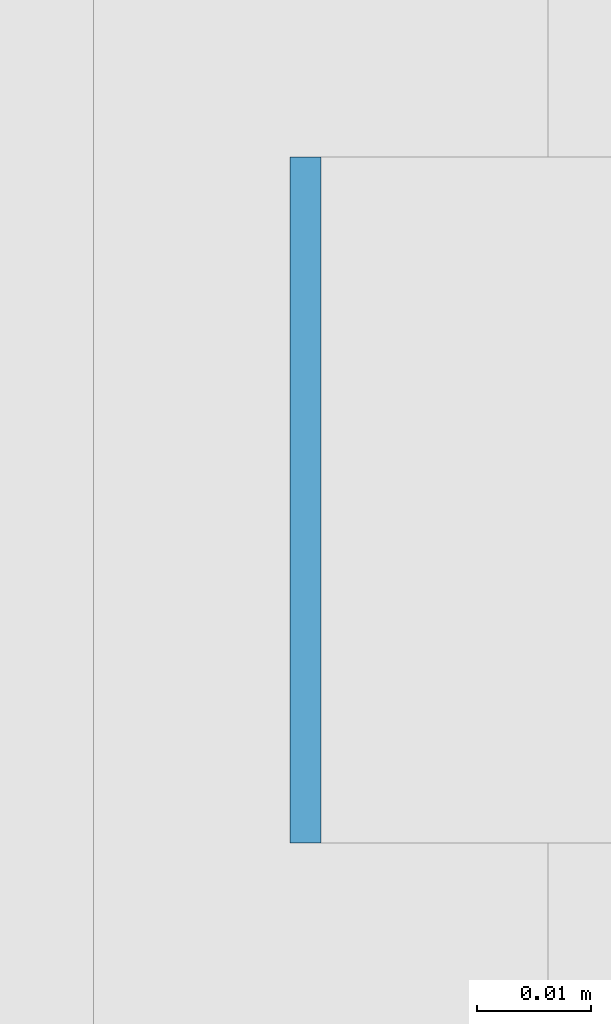
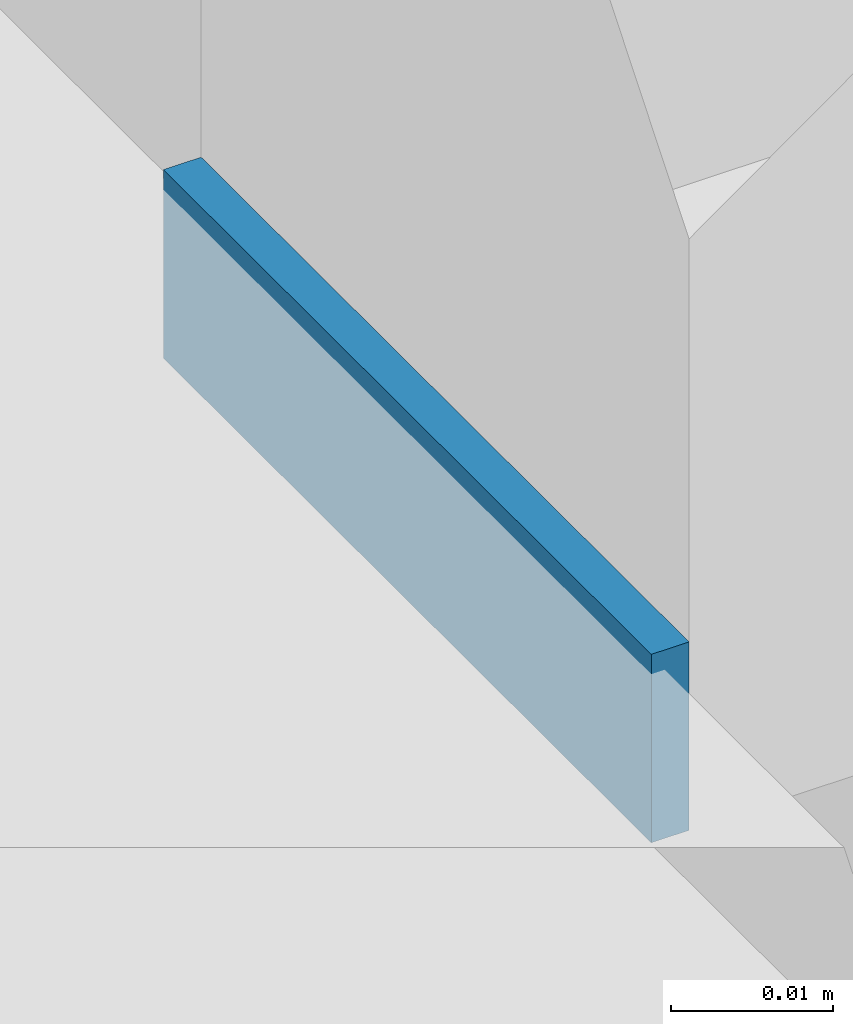
# One storey, part 564 of 646: 1 discrete accessory.
"""IFC4 building model written with IfcOpenShell, lengths in metres."""

from ifc_helpers import new_model, si_unit, direction, frame, origin, origin_2d, place, context, subcontext, project, spatial, rectangle, extrude, material, type_object, element, save


model = new_model("IFC4")

# Units and contexts
model_context = context("Model", 3, precision=1e-05, world=origin(), true_north=direction((0.0, 1.0)))
body_context = subcontext(model_context, "Body", "Model", "MODEL_VIEW")
ifc_project = project(units=[si_unit("LENGTHUNIT", "METRE"), si_unit("AREAUNIT", "SQUARE_METRE"), si_unit("VOLUMEUNIT", "CUBIC_METRE"), si_unit("PLANEANGLEUNIT", "RADIAN"), si_unit("MASSUNIT", "GRAM", prefix="KILO")], contexts=[model_context])

# Site, building, storey
site_placement = place(None, origin())
site = spatial("IfcSite", under=ifc_project, at=site_placement, CompositionType="ELEMENT")
building_placement = place(site_placement, origin())
building = spatial("IfcBuilding", under=site, at=building_placement, Name="Silverbay Arena", CompositionType="ELEMENT")
storey_placement = place(building_placement, frame((0.0, 0.0, 33.5)))
storey = spatial("IfcBuildingStorey", under=building, at=storey_placement, Name="L05", CompositionType="ELEMENT", Elevation=33.5)

# Discrete accessory
ifc_material = material(Name="Steel S355", Category="steel")
discrete_accessory_type = type_object("IfcDiscreteAccessoryType", Name="Steel bracket plate", PredefinedType="BRACKET", material=ifc_material)
discrete_accessory_placement = place(storey_placement, frame((207.128662109375, 102.857177734375, 4.0), z_axis=(0.0, 0.0, 1.0), x_axis=(1.0, 0.0, 0.0)))
element("IfcDiscreteAccessory", 1, at=discrete_accessory_placement, inside=storey, type_object=discrete_accessory_type, Name="Curtain wall packing plate", PredefinedType="BRACKET", context=body_context, shape_type="SweptSolid", body=[
    extrude(rectangle(XDim=0.002685546875, YDim=0.06005859375, at=origin_2d()), origin(), (0.0, 0.0, 1.0), 0.01416015625),
])

save(model, "model.ifc")
